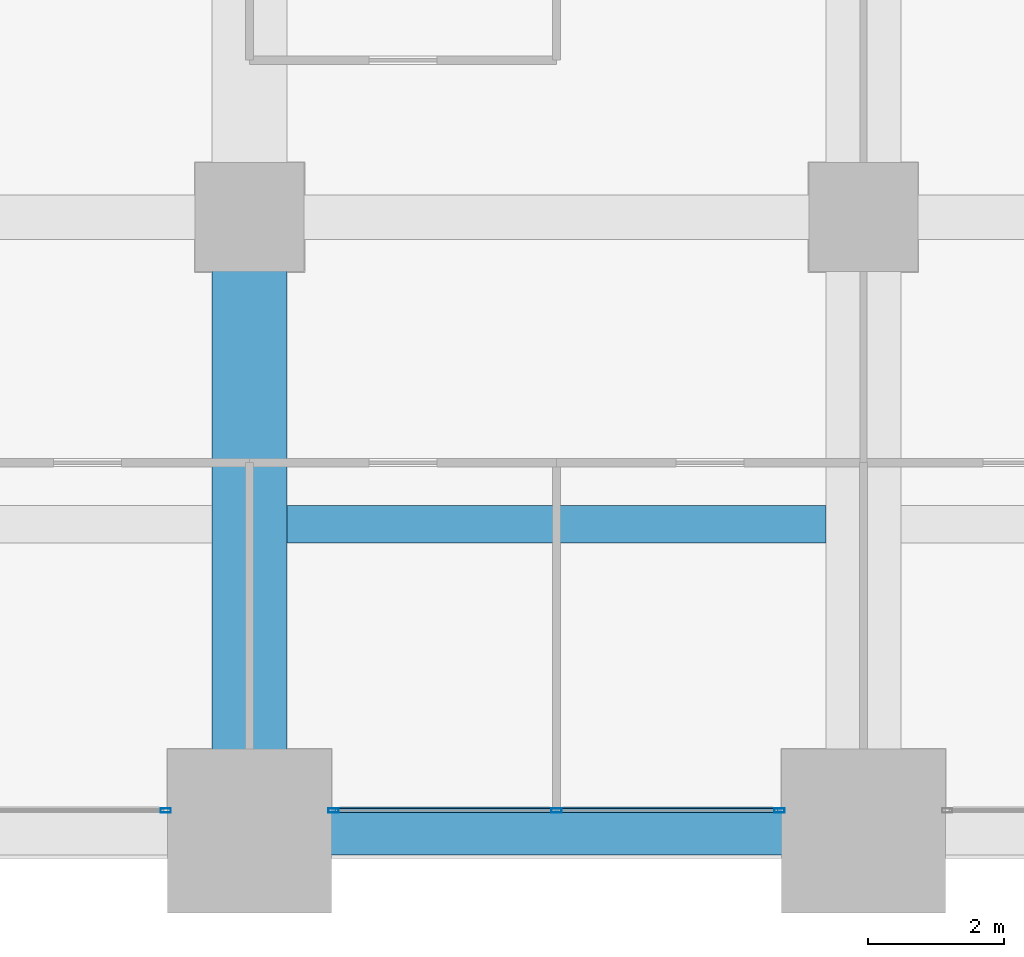
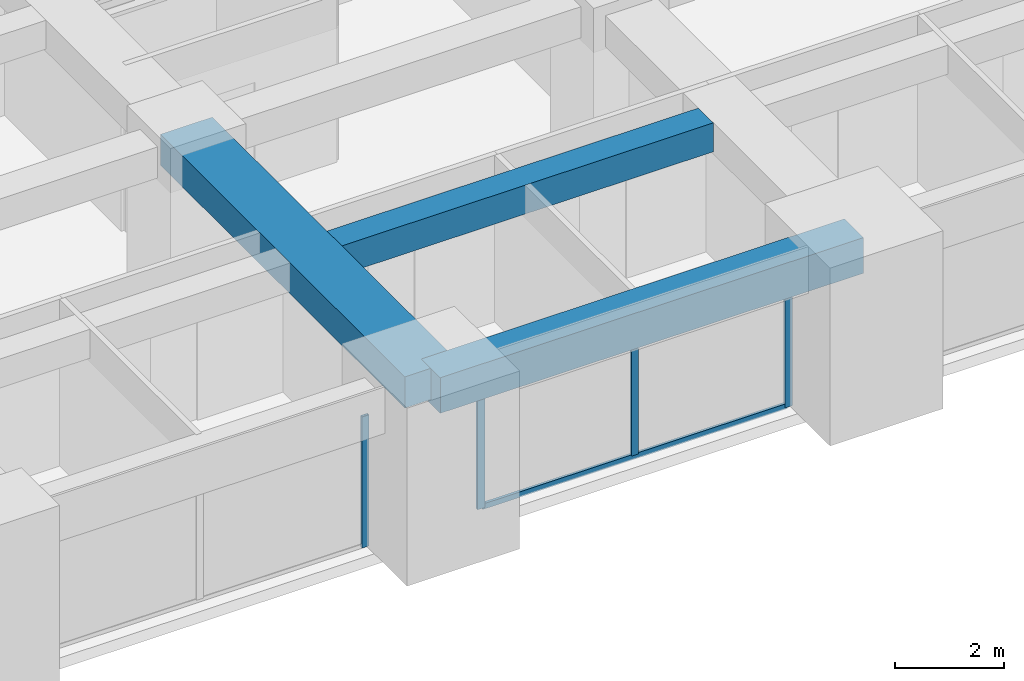
# One storey, part 6 of 33: 5 members, 3 beams, 2 elements without a shape of their own.
"""IFC4 building model written with IfcOpenShell, lengths in metres."""

from ifc_helpers import new_model, si_unit, direction, frame, origin, origin_2d, place, context, subcontext, project, spatial, rectangle, hollow_rectangle, extrude, material, material_profile, profile_set, type_object, element, aggregate, save


model = new_model("IFC4")

# Units and contexts
model_context = context("Model", 3, precision=1e-05, world=origin(), true_north=direction((0.0, 1.0)))
body_context = subcontext(model_context, "Body", "Model", "MODEL_VIEW")
ifc_project = project(units=[si_unit("LENGTHUNIT", "METRE"), si_unit("AREAUNIT", "SQUARE_METRE"), si_unit("VOLUMEUNIT", "CUBIC_METRE"), si_unit("PLANEANGLEUNIT", "RADIAN"), si_unit("MASSUNIT", "GRAM", prefix="KILO")], contexts=[model_context])

# Site, building, storey
site_placement = place(None, origin())
site = spatial("IfcSite", under=ifc_project, at=site_placement, CompositionType="ELEMENT")
building_placement = place(site_placement, origin())
building = spatial("IfcBuilding", under=site, at=building_placement, Name="Zorevar Civic Tower", CompositionType="ELEMENT")
storey_placement = place(building_placement, frame((0.0, 0.0, 178.199951171875)))
storey = spatial("IfcBuildingStorey", under=building, at=storey_placement, Name="L43", CompositionType="ELEMENT", Elevation=178.199951171875)

# Beams
ifc_material_1 = material(Name="Concrete C50/60", Category="concrete")
ifc_material_profile_1 = material_profile(ifc_material_1, rectangle(XDim=1.10009765625, YDim=0.699951171875, at=origin_2d()), Name="RC 1100x700")
ifc_profile_set_1 = profile_set([ifc_material_profile_1], Name="Concrete C50/60")
beam_type_1 = type_object("IfcBeamType", Name="Beam RC 1100x700", PredefinedType="BEAM", material=ifc_profile_set_1)
beam_1_placement = place(storey_placement, frame((18.0, 0.0, 3.400146484375), z_axis=(0.0, 1.0, 0.0), x_axis=(-1.0, 0.0, 0.0)))
element("IfcBeam", 1, at=beam_1_placement, inside=storey, type_object=beam_type_1, Name="Girder L44", PredefinedType="BEAM", context=body_context, shape_type="SweptSolid", body=[
    extrude(rectangle(XDim=1.10009765625, YDim=0.699951171875, at=origin_2d()), origin(), (0.0, 0.0, 1.0), 9.0),
])
ifc_material_2 = material(Name="Concrete C50/60", Category="concrete")
ifc_material_profile_2 = material_profile(ifc_material_2, rectangle(XDim=0.550048828125, YDim=0.64990234375, at=origin_2d()), Name="RC 550x650")
ifc_profile_set_2 = profile_set([ifc_material_profile_2], Name="Concrete C50/60")
beam_type_2 = type_object("IfcBeamType", Name="Beam RC 550x650", PredefinedType="BEAM", material=ifc_profile_set_2)
beam_2_placement = place(storey_placement, frame((18.550048828125, 4.5, 3.425048828125), z_axis=(1.0, 0.0, 0.0), x_axis=(0.0, 1.0, 0.0)))
element("IfcBeam", 2, at=beam_2_placement, inside=storey, type_object=beam_type_2, Name="Secondary beam L44", PredefinedType="BEAM", context=body_context, shape_type="SweptSolid", body=[
    extrude(rectangle(XDim=0.550048828125, YDim=0.64990234375, at=origin_2d()), origin(), (0.0, 0.0, 1.0), 7.89990234375),
])

# Curtain wall, member
ifc_material_3 = material(Name="Dark grey solar-control glass in black aluminium frame", Category="aluminium")
curtain_wall_type = type_object("IfcCurtainWallType", Name="Curtain wall CW4 high zone", PredefinedType="NOTDEFINED", material=ifc_material_3)
curtain_wall_1_placement = place(storey_placement, origin())
curtain_wall_1 = element("IfcCurtainWall", 3, at=curtain_wall_1_placement, inside=storey, type_object=curtain_wall_type, Name="CW4 L43", PredefinedType="NOTDEFINED")
ifc_material_4 = material(Name="Aluminium, black anodised", Category="aluminium")
ifc_material_profile_3 = material_profile(ifc_material_4, hollow_rectangle(XDim=0.06005859375, YDim=0.14990234375, WallThickness=0.00390625, at=origin_2d()), Name="AL 150x60x4")
ifc_profile_set_3 = profile_set([ifc_material_profile_3], Name="Aluminium, black anodised")
member_type_1 = type_object("IfcMemberType", Name="CW4 mullion AL 150x60x4", PredefinedType="MULLION", material=ifc_profile_set_3)
member_1_placement = place(storey_placement, frame((16.77001953125, 0.300048828125, 0.0), z_axis=(0.0, 0.0, 1.0), x_axis=(0.0, 1.0, 0.0)))
member_1 = element("IfcMember", 4, at=member_1_placement, type_object=member_type_1, Name="CW4 mullion 3", PredefinedType="MULLION", context=body_context, shape_type="SweptSolid", body=[
    extrude(hollow_rectangle(XDim=0.06005859375, YDim=0.14990234375, WallThickness=0.00390625, at=origin_2d()), origin(), (0.0, 0.0, 1.0), 2.949951171875),
])
aggregate(curtain_wall_1, [member_1])

# Curtain wall, members
curtain_wall_2_placement = place(storey_placement, origin())
curtain_wall_2 = element("IfcCurtainWall", 5, at=curtain_wall_2_placement, inside=storey, type_object=curtain_wall_type, Name="CW4 L43", PredefinedType="NOTDEFINED")
member_2_placement = place(storey_placement, frame((19.22998046875, 0.300048828125, 0.0), z_axis=(0.0, 0.0, 1.0), x_axis=(0.0, 1.0, 0.0)))
member_2 = element("IfcMember", 6, at=member_2_placement, type_object=member_type_1, Name="CW4 mullion 1", PredefinedType="MULLION", context=body_context, shape_type="SweptSolid", body=[
    extrude(hollow_rectangle(XDim=0.06005859375, YDim=0.14990234375, WallThickness=0.00390625, at=origin_2d()), origin(), (0.0, 0.0, 1.0), 2.949951171875),
])
member_3_placement = place(storey_placement, frame((22.5, 0.300048828125, 0.06005859375), z_axis=(0.0, 0.0, 1.0), x_axis=(0.0, 1.0, 0.0)))
member_3 = element("IfcMember", 7, at=member_3_placement, type_object=member_type_1, Name="CW4 mullion 2", PredefinedType="MULLION", context=body_context, shape_type="SweptSolid", body=[
    extrude(hollow_rectangle(XDim=0.06005859375, YDim=0.14990234375, WallThickness=0.00390625, at=origin_2d()), origin(), (0.0, 0.0, 1.0), 2.889892578125),
])
member_4_placement = place(storey_placement, frame((25.77001953125, 0.300048828125, 0.0), z_axis=(0.0, 0.0, 1.0), x_axis=(0.0, 1.0, 0.0)))
member_4 = element("IfcMember", 8, at=member_4_placement, type_object=member_type_1, Name="CW4 mullion 3", PredefinedType="MULLION", context=body_context, shape_type="SweptSolid", body=[
    extrude(hollow_rectangle(XDim=0.06005859375, YDim=0.14990234375, WallThickness=0.00390625, at=origin_2d()), origin(), (0.0, 0.0, 1.0), 2.949951171875),
])
ifc_material_5 = material(Name="Aluminium, black anodised", Category="aluminium")
ifc_material_profile_4 = material_profile(ifc_material_5, hollow_rectangle(XDim=0.06005859375, YDim=0.1201171875, WallThickness=0.0029296875, at=origin_2d()), Name="AL 120x60x3")
ifc_profile_set_4 = profile_set([ifc_material_profile_4], Name="Aluminium, black anodised")
member_type_2 = type_object("IfcMemberType", Name="CW4 transom AL 120x60x3", PredefinedType="USERDEFINED", material=ifc_profile_set_4)
member_5_placement = place(storey_placement, frame((19.260009765625, 0.300048828125, 0.030029296875), z_axis=(1.0, 0.0, 0.0), x_axis=(0.0, 1.0, 0.0)))
member_5 = element("IfcMember", 9, at=member_5_placement, type_object=member_type_2, Name="CW4 sill transom", ObjectType="TRANSOM", PredefinedType="USERDEFINED", context=body_context, shape_type="SweptSolid", body=[
    extrude(hollow_rectangle(XDim=0.06005859375, YDim=0.1201171875, WallThickness=0.0029296875, at=origin_2d()), origin(), (0.0, 0.0, 1.0), 6.47998046875),
])
aggregate(curtain_wall_2, [member_2, member_3, member_4, member_5])

# Beam
ifc_material_6 = material(Name="Concrete C50/60", Category="concrete")
ifc_material_profile_5 = material_profile(ifc_material_6, rectangle(XDim=0.699951171875, YDim=0.800048828125, at=origin_2d()), Name="RC 700x800")
ifc_profile_set_5 = profile_set([ifc_material_profile_5], Name="Concrete C50/60")
beam_type_3 = type_object("IfcBeamType", Name="Edge beam RC 700x800", PredefinedType="SPANDREL", material=ifc_profile_set_5)
beam_3_placement = place(storey_placement, frame((18.0, 0.0, 3.35009765625), z_axis=(1.0, 0.0, 0.0), x_axis=(0.0, 1.0, 0.0)))
element("IfcBeam", 10, at=beam_3_placement, inside=storey, type_object=beam_type_3, Name="Edge beam L44", PredefinedType="SPANDREL", context=body_context, shape_type="SweptSolid", body=[
    extrude(rectangle(XDim=0.699951171875, YDim=0.800048828125, at=origin_2d()), origin(), (0.0, 0.0, 1.0), 9.0),
])

save(model, "model.ifc")
